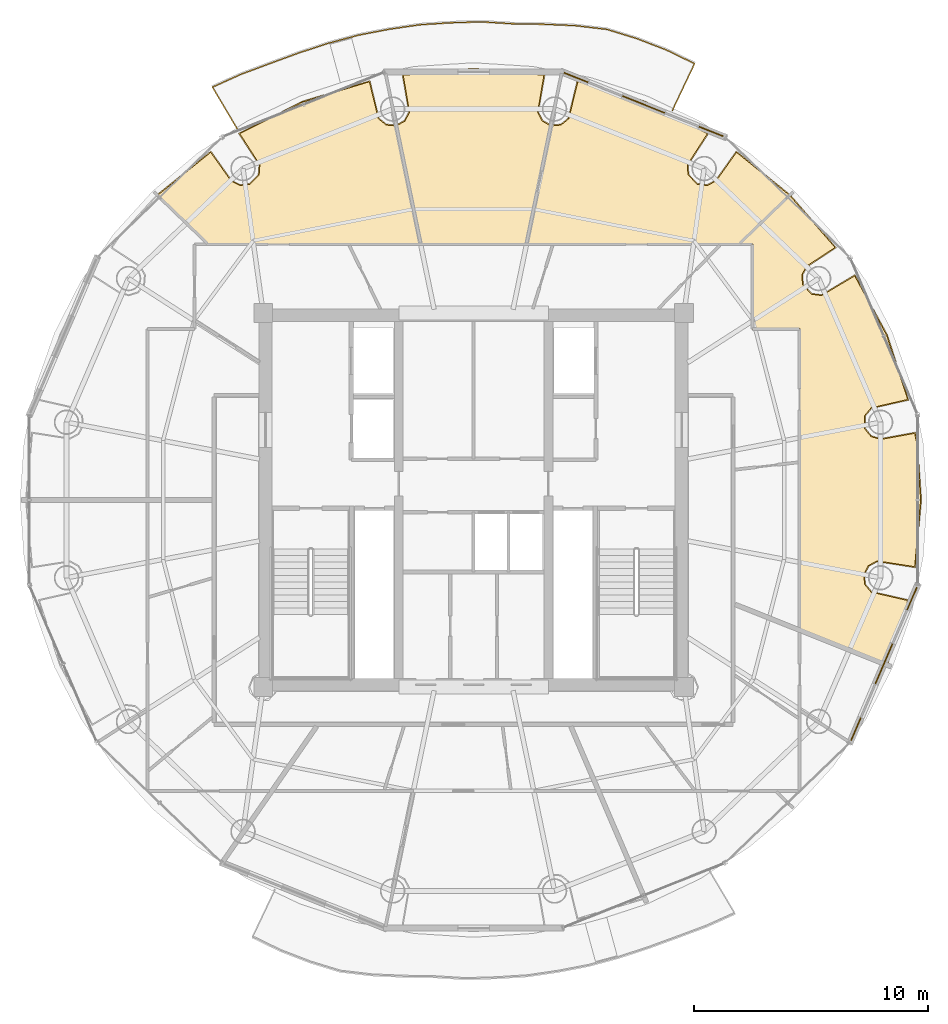
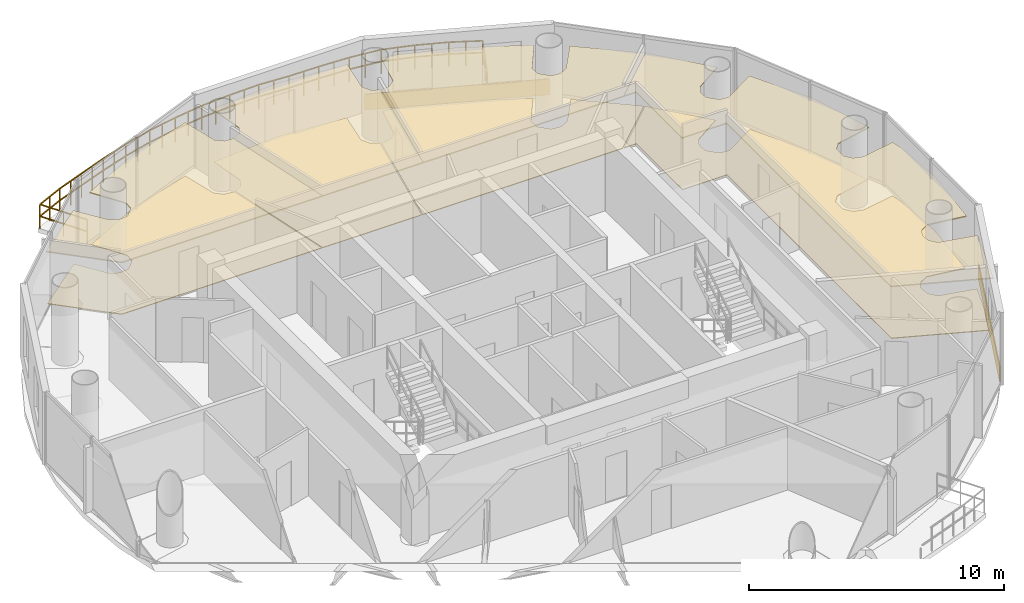
# One storey, part 24 of 24: 10 coverings, 1 railing.
"""IFC4 building model written with IfcOpenShell, lengths in metres."""

from ifc_helpers import new_model, si_unit, direction, frame, origin, origin_2d, place, context, subcontext, project, spatial, polyline, rectangle, outline, extrude, source, transform, mapped, material, layer, layer_set, type_object, element, save


model = new_model("IFC4")

# Units and contexts
model_context = context("Model", 3, precision=1e-05, world=origin(), true_north=direction((-0.2419218956, 0.970295726276)))
body_context = subcontext(model_context, "Body", "Model", "MODEL_VIEW")
ifc_project = project(units=[si_unit("LENGTHUNIT", "METRE"), si_unit("AREAUNIT", "SQUARE_METRE"), si_unit("VOLUMEUNIT", "CUBIC_METRE"), si_unit("PLANEANGLEUNIT", "RADIAN"), si_unit("MASSUNIT", "GRAM", prefix="KILO")], contexts=[model_context])

# Site, building, storey
site_placement = place(None, origin())
site = spatial("IfcSite", under=ifc_project, at=site_placement, CompositionType="ELEMENT")
building_placement = place(site_placement, origin())
building = spatial("IfcBuilding", under=site, at=building_placement, Name="Cobrevalo Terracotta Tower", CompositionType="ELEMENT")
storey_placement = place(building_placement, frame((0.0, 0.0, 270.699951171875)))
storey = spatial("IfcBuildingStorey", under=building, at=storey_placement, Name="L71", CompositionType="ELEMENT", Elevation=270.699951171875)

# Railing
ifc_material_1 = material(Name="Laminated structural glass and stainless steel", Category="steel")
railing_type = type_object("IfcRailingType", Name="Balcony lobe structural glass & terracotta-cap balustrade 1180 mm", PredefinedType="BALUSTRADE", material=ifc_material_1)
railing_placement = place(storey_placement, frame((46.504150390625, 43.46337890625, 0.0)))
element("IfcRailing", 1, at=railing_placement, inside=storey, type_object=railing_type, Name="L71 spiralling balcony lobe balustrade 1", PredefinedType="BALUSTRADE", context=body_context, shape_type="SweptSolid", body=[
    extrude(rectangle(XDim=0.048095703125, YDim=0.048095703125, at=origin_2d()), frame((0.0, 0.0, 1.15576171875), z_axis=(0.428489504485, 0.903546758362, 0.0), x_axis=(-0.903546758362, 0.428489504485, 0.0)), (0.0, 0.0, 1.0), 2.21240234375),
    extrude(rectangle(XDim=0.048095703125, YDim=0.048095703125, at=origin_2d()), frame((0.0, 0.0, 0.58984375), z_axis=(0.428489504485, 0.903546758362, 0.0), x_axis=(-0.903546758362, 0.428489504485, 0.0)), (0.0, 0.0, 1.0), 2.21240234375),
    extrude(rectangle(XDim=0.048095703125, YDim=0.048095703125, at=origin_2d()), frame((0.947998046875, 1.9990234375, 1.15576171875), z_axis=(-0.899457144441, 0.437008976239, 0.0), x_axis=(-0.437008976239, -0.899457144441, 0.0)), (0.0, 0.0, 1.0), 1.343505859375),
    extrude(rectangle(XDim=0.048095703125, YDim=0.048095703125, at=origin_2d()), frame((0.947998046875, 1.9990234375, 0.58984375), z_axis=(-0.899457144441, 0.437008976239, 0.0), x_axis=(-0.437008976239, -0.899457144441, 0.0)), (0.0, 0.0, 1.0), 1.343505859375),
    extrude(rectangle(XDim=0.048095703125, YDim=0.048095703125, at=origin_2d()), frame((-0.260498046875, 2.586181640625, 1.15576171875), z_axis=(-0.933266261338, 0.359185307952, 0.0), x_axis=(-0.359185307952, -0.933266261338, 0.0)), (0.0, 0.0, 1.0), 1.3486328125),
    extrude(rectangle(XDim=0.048095703125, YDim=0.048095703125, at=origin_2d()), frame((-0.260498046875, 2.586181640625, 0.58984375), z_axis=(-0.933266261338, 0.359185307952, 0.0), x_axis=(-0.359185307952, -0.933266261338, 0.0)), (0.0, 0.0, 1.0), 1.3486328125),
    extrude(rectangle(XDim=0.048095703125, YDim=0.048095703125, at=origin_2d()), frame((-1.51904296875, 3.070556640625, 1.15576171875), z_axis=(-0.95583764655, 0.293895208258, 0.0), x_axis=(-0.293895208258, -0.95583764655, 0.0)), (0.0, 0.0, 1.0), 1.349853515625),
    extrude(rectangle(XDim=0.048095703125, YDim=0.048095703125, at=origin_2d()), frame((-1.51904296875, 3.070556640625, 0.58984375), z_axis=(-0.95583764655, 0.293895208258, 0.0), x_axis=(-0.293895208258, -0.95583764655, 0.0)), (0.0, 0.0, 1.0), 1.349853515625),
    extrude(rectangle(XDim=0.048095703125, YDim=0.048095703125, at=origin_2d()), frame((-2.809326171875, 3.46728515625, 1.15576171875), z_axis=(-0.993183766493, 0.116559023566, 0.0), x_axis=(-0.116559023566, -0.993183766493, 0.0)), (0.0, 0.0, 1.0), 1.355224609375),
    extrude(rectangle(XDim=0.048095703125, YDim=0.048095703125, at=origin_2d()), frame((-2.809326171875, 3.46728515625, 0.58984375), z_axis=(-0.993183766493, 0.116559023566, 0.0), x_axis=(-0.116559023566, -0.993183766493, 0.0)), (0.0, 0.0, 1.0), 1.355224609375),
    extrude(rectangle(XDim=0.048095703125, YDim=0.048095703125, at=origin_2d()), frame((-4.1552734375, 3.625244140625, 1.15576171875), z_axis=(-0.999055816775, 0.04344507991, 0.0), x_axis=(-0.04344507991, -0.999055816775, 0.0)), (0.0, 0.0, 1.0), 1.3486328125),
    extrude(rectangle(XDim=0.048095703125, YDim=0.048095703125, at=origin_2d()), frame((-4.1552734375, 3.625244140625, 0.58984375), z_axis=(-0.999055816775, 0.04344507991, 0.0), x_axis=(-0.04344507991, -0.999055816775, 0.0)), (0.0, 0.0, 1.0), 1.3486328125),
    extrude(rectangle(XDim=0.048095703125, YDim=0.048095703125, at=origin_2d()), frame((-5.502685546875, 3.683837890625, 1.15576171875), z_axis=(-0.999879110149, 0.015548796993, 0.0), x_axis=(-0.015548796993, -0.999879110149, 0.0)), (0.0, 0.0, 1.0), 1.334716796875),
    extrude(rectangle(XDim=0.048095703125, YDim=0.048095703125, at=origin_2d()), frame((-5.502685546875, 3.683837890625, 0.58984375), z_axis=(-0.999879110149, 0.015548796993, 0.0), x_axis=(-0.015548796993, -0.999879110149, 0.0)), (0.0, 0.0, 1.0), 1.334716796875),
    extrude(rectangle(XDim=0.048095703125, YDim=0.048095703125, at=origin_2d()), frame((-6.837158203125, 3.70458984375, 1.15576171875), z_axis=(-0.998091008843, 0.061760327619, 0.0), x_axis=(-0.061760327619, -0.998091008843, 0.0)), (0.0, 0.0, 1.0), 1.328125),
    extrude(rectangle(XDim=0.048095703125, YDim=0.048095703125, at=origin_2d()), frame((-6.837158203125, 3.70458984375, 0.58984375), z_axis=(-0.998091008843, 0.061760327619, 0.0), x_axis=(-0.061760327619, -0.998091008843, 0.0)), (0.0, 0.0, 1.0), 1.328125),
    extrude(rectangle(XDim=0.048095703125, YDim=0.048095703125, at=origin_2d()), frame((-8.162841796875, 3.78662109375, 1.15576171875), z_axis=(-0.999566161971, -0.029453146577, 0.0), x_axis=(0.029453146577, -0.999566161971, 0.0)), (0.0, 0.0, 1.0), 1.326171875),
    extrude(rectangle(XDim=0.048095703125, YDim=0.048095703125, at=origin_2d()), frame((-8.162841796875, 3.78662109375, 0.58984375), z_axis=(-0.999566161971, -0.029453146577, 0.0), x_axis=(0.029453146577, -0.999566161971, 0.0)), (0.0, 0.0, 1.0), 1.326171875),
    extrude(rectangle(XDim=0.048095703125, YDim=0.048095703125, at=origin_2d()), frame((-9.488525390625, 3.74755859375, 1.15576171875), z_axis=(-0.997951891363, -0.063968918437, 0.0), x_axis=(0.063968918437, -0.997951891363, 0.0)), (0.0, 0.0, 1.0), 1.328125),
    extrude(rectangle(XDim=0.048095703125, YDim=0.048095703125, at=origin_2d()), frame((-9.488525390625, 3.74755859375, 0.58984375), z_axis=(-0.997951891363, -0.063968918437, 0.0), x_axis=(0.063968918437, -0.997951891363, 0.0)), (0.0, 0.0, 1.0), 1.328125),
    extrude(rectangle(XDim=0.048095703125, YDim=0.048095703125, at=origin_2d()), frame((-10.81396484375, 3.66259765625, 1.15576171875), z_axis=(-0.989351333911, -0.145547030501, 0.0), x_axis=(0.145547030501, -0.989351333911, 0.0)), (0.0, 0.0, 1.0), 1.3251953125),
    extrude(rectangle(XDim=0.048095703125, YDim=0.048095703125, at=origin_2d()), frame((-10.81396484375, 3.66259765625, 0.58984375), z_axis=(-0.989351333911, -0.145547030501, 0.0), x_axis=(0.145547030501, -0.989351333911, 0.0)), (0.0, 0.0, 1.0), 1.3251953125),
    extrude(rectangle(XDim=0.048095703125, YDim=0.048095703125, at=origin_2d()), frame((-12.125, 3.4697265625, 1.15576171875), z_axis=(-0.981984129686, -0.188963406631, 0.0), x_axis=(0.188963406631, -0.981984129686, 0.0)), (0.0, 0.0, 1.0), 1.326904296875),
    extrude(rectangle(XDim=0.048095703125, YDim=0.048095703125, at=origin_2d()), frame((-12.125, 3.4697265625, 0.58984375), z_axis=(-0.981984129686, -0.188963406631, 0.0), x_axis=(0.188963406631, -0.981984129686, 0.0)), (0.0, 0.0, 1.0), 1.326904296875),
    extrude(rectangle(XDim=0.048095703125, YDim=0.048095703125, at=origin_2d()), frame((-13.427978515625, 3.218994140625, 1.15576171875), z_axis=(-0.96557656112, -0.260119020095, 0.0), x_axis=(0.260119020095, -0.96557656112, 0.0)), (0.0, 0.0, 1.0), 1.323486328125),
    extrude(rectangle(XDim=0.048095703125, YDim=0.048095703125, at=origin_2d()), frame((-13.427978515625, 3.218994140625, 0.58984375), z_axis=(-0.96557656112, -0.260119020095, 0.0), x_axis=(0.260119020095, -0.96557656112, 0.0)), (0.0, 0.0, 1.0), 1.323486328125),
    extrude(rectangle(XDim=0.048095703125, YDim=0.048095703125, at=origin_2d()), frame((-14.705810546875, 2.874755859375, 1.15576171875), z_axis=(-0.950365422226, -0.311135925663, 0.0), x_axis=(0.311135925663, -0.950365422226, 0.0)), (0.0, 0.0, 1.0), 1.324462890625),
    extrude(rectangle(XDim=0.048095703125, YDim=0.048095703125, at=origin_2d()), frame((-14.705810546875, 2.874755859375, 0.58984375), z_axis=(-0.950365422226, -0.311135925663, 0.0), x_axis=(0.311135925663, -0.950365422226, 0.0)), (0.0, 0.0, 1.0), 1.324462890625),
    extrude(rectangle(XDim=0.048095703125, YDim=0.048095703125, at=origin_2d()), frame((-15.964599609375, 2.462646484375, 1.15576171875), z_axis=(-0.939188219159, -0.343402808656, 0.0), x_axis=(0.343402808656, -0.939188219159, 0.0)), (0.0, 0.0, 1.0), 1.322265625),
    extrude(rectangle(XDim=0.048095703125, YDim=0.048095703125, at=origin_2d()), frame((-15.964599609375, 2.462646484375, 0.58984375), z_axis=(-0.939188219159, -0.343402808656, 0.0), x_axis=(0.343402808656, -0.939188219159, 0.0)), (0.0, 0.0, 1.0), 1.322265625),
    extrude(rectangle(XDim=0.048095703125, YDim=0.048095703125, at=origin_2d()), frame((-17.20654296875, 2.008544921875, 1.15576171875), z_axis=(-0.937012739346, -0.349295185056, 0.0), x_axis=(0.349295185056, -0.937012739346, 0.0)), (0.0, 0.0, 1.0), 1.332275390625),
    extrude(rectangle(XDim=0.048095703125, YDim=0.048095703125, at=origin_2d()), frame((-17.20654296875, 2.008544921875, 0.58984375), z_axis=(-0.937012739346, -0.349295185056, 0.0), x_axis=(0.349295185056, -0.937012739346, 0.0)), (0.0, 0.0, 1.0), 1.332275390625),
    extrude(rectangle(XDim=0.048095703125, YDim=0.048095703125, at=origin_2d()), frame((-18.454833984375, 1.543212890625, 1.15576171875), z_axis=(-0.911571966461, -0.411140547699, 0.0), x_axis=(0.411140547699, -0.911571966461, 0.0)), (0.0, 0.0, 1.0), 1.334228515625),
    extrude(rectangle(XDim=0.048095703125, YDim=0.048095703125, at=origin_2d()), frame((-18.454833984375, 1.543212890625, 0.58984375), z_axis=(-0.911571966461, -0.411140547699, 0.0), x_axis=(0.411140547699, -0.911571966461, 0.0)), (0.0, 0.0, 1.0), 1.334228515625),
    extrude(rectangle(XDim=0.048095703125, YDim=0.048095703125, at=origin_2d()), frame((-19.671142578125, 0.99462890625, 1.15576171875), z_axis=(0.509498750824, -0.860471395753, 0.0), x_axis=(0.860471395753, 0.509498750824, 0.0)), (0.0, 0.0, 1.0), 2.115966796875),
    extrude(rectangle(XDim=0.048095703125, YDim=0.048095703125, at=origin_2d()), frame((-19.671142578125, 0.99462890625, 0.58984375), z_axis=(0.509498750824, -0.860471395753, 0.0), x_axis=(0.860471395753, 0.509498750824, 0.0)), (0.0, 0.0, 1.0), 2.115966796875),
    extrude(rectangle(XDim=0.0419921875, YDim=0.0419921875, at=origin_2d()), origin(), (0.0, 0.0, 1.0), 1.1318359375),
    extrude(rectangle(XDim=0.0419921875, YDim=0.0419921875, at=origin_2d()), frame((0.47412109375, 0.99951171875, 0.0)), (0.0, 0.0, 1.0), 1.1318359375),
    extrude(rectangle(XDim=0.0419921875, YDim=0.0419921875, at=origin_2d()), frame((0.947998046875, 1.9990234375, 0.0)), (0.0, 0.0, 1.0), 1.1318359375),
    extrude(rectangle(XDim=0.0419921875, YDim=0.0419921875, at=origin_2d()), frame((0.34375, 2.29248046875, 0.0)), (0.0, 0.0, 1.0), 1.1318359375),
    extrude(rectangle(XDim=0.0419921875, YDim=0.0419921875, at=origin_2d()), frame((-0.260498046875, 2.586181640625, 0.0)), (0.0, 0.0, 1.0), 1.1318359375),
    extrude(rectangle(XDim=0.0419921875, YDim=0.0419921875, at=origin_2d()), frame((-0.8896484375, 2.828369140625, 0.0)), (0.0, 0.0, 1.0), 1.1318359375),
    extrude(rectangle(XDim=0.0419921875, YDim=0.0419921875, at=origin_2d()), frame((-1.51904296875, 3.070556640625, 0.0)), (0.0, 0.0, 1.0), 1.1318359375),
    extrude(rectangle(XDim=0.0419921875, YDim=0.0419921875, at=origin_2d()), frame((-2.1640625, 3.26904296875, 0.0)), (0.0, 0.0, 1.0), 1.1318359375),
    extrude(rectangle(XDim=0.0419921875, YDim=0.0419921875, at=origin_2d()), frame((-2.809326171875, 3.46728515625, 0.0)), (0.0, 0.0, 1.0), 1.1318359375),
    extrude(rectangle(XDim=0.0419921875, YDim=0.0419921875, at=origin_2d()), frame((-3.482421875, 3.54638671875, 0.0)), (0.0, 0.0, 1.0), 1.1318359375),
    extrude(rectangle(XDim=0.0419921875, YDim=0.0419921875, at=origin_2d()), frame((-4.1552734375, 3.625244140625, 0.0)), (0.0, 0.0, 1.0), 1.1318359375),
    extrude(rectangle(XDim=0.0419921875, YDim=0.0419921875, at=origin_2d()), frame((-4.8291015625, 3.654541015625, 0.0)), (0.0, 0.0, 1.0), 1.1318359375),
    extrude(rectangle(XDim=0.0419921875, YDim=0.0419921875, at=origin_2d()), frame((-5.502685546875, 3.683837890625, 0.0)), (0.0, 0.0, 1.0), 1.1318359375),
    extrude(rectangle(XDim=0.0419921875, YDim=0.0419921875, at=origin_2d()), frame((-6.169921875, 3.6943359375, 0.0)), (0.0, 0.0, 1.0), 1.1318359375),
    extrude(rectangle(XDim=0.0419921875, YDim=0.0419921875, at=origin_2d()), frame((-6.837158203125, 3.70458984375, 0.0)), (0.0, 0.0, 1.0), 1.1318359375),
    extrude(rectangle(XDim=0.0419921875, YDim=0.0419921875, at=origin_2d()), frame((-7.5, 3.74560546875, 0.0)), (0.0, 0.0, 1.0), 1.1318359375),
    extrude(rectangle(XDim=0.0419921875, YDim=0.0419921875, at=origin_2d()), frame((-8.162841796875, 3.78662109375, 0.0)), (0.0, 0.0, 1.0), 1.1318359375),
    extrude(rectangle(XDim=0.0419921875, YDim=0.0419921875, at=origin_2d()), frame((-8.82568359375, 3.76708984375, 0.0)), (0.0, 0.0, 1.0), 1.1318359375),
    extrude(rectangle(XDim=0.0419921875, YDim=0.0419921875, at=origin_2d()), frame((-9.488525390625, 3.74755859375, 0.0)), (0.0, 0.0, 1.0), 1.1318359375),
    extrude(rectangle(XDim=0.0419921875, YDim=0.0419921875, at=origin_2d()), frame((-10.1513671875, 3.705078125, 0.0)), (0.0, 0.0, 1.0), 1.1318359375),
    extrude(rectangle(XDim=0.0419921875, YDim=0.0419921875, at=origin_2d()), frame((-10.81396484375, 3.66259765625, 0.0)), (0.0, 0.0, 1.0), 1.1318359375),
    extrude(rectangle(XDim=0.0419921875, YDim=0.0419921875, at=origin_2d()), frame((-11.469482421875, 3.566162109375, 0.0)), (0.0, 0.0, 1.0), 1.1318359375),
    extrude(rectangle(XDim=0.0419921875, YDim=0.0419921875, at=origin_2d()), frame((-12.125, 3.4697265625, 0.0)), (0.0, 0.0, 1.0), 1.1318359375),
    extrude(rectangle(XDim=0.0419921875, YDim=0.0419921875, at=origin_2d()), frame((-12.7763671875, 3.34423828125, 0.0)), (0.0, 0.0, 1.0), 1.1318359375),
    extrude(rectangle(XDim=0.0419921875, YDim=0.0419921875, at=origin_2d()), frame((-13.427978515625, 3.218994140625, 0.0)), (0.0, 0.0, 1.0), 1.1318359375),
    extrude(rectangle(XDim=0.0419921875, YDim=0.0419921875, at=origin_2d()), frame((-14.06689453125, 3.046875, 0.0)), (0.0, 0.0, 1.0), 1.1318359375),
    extrude(rectangle(XDim=0.0419921875, YDim=0.0419921875, at=origin_2d()), frame((-14.705810546875, 2.874755859375, 0.0)), (0.0, 0.0, 1.0), 1.1318359375),
    extrude(rectangle(XDim=0.0419921875, YDim=0.0419921875, at=origin_2d()), frame((-15.335205078125, 2.668701171875, 0.0)), (0.0, 0.0, 1.0), 1.1318359375),
    extrude(rectangle(XDim=0.0419921875, YDim=0.0419921875, at=origin_2d()), frame((-15.964599609375, 2.462646484375, 0.0)), (0.0, 0.0, 1.0), 1.1318359375),
    extrude(rectangle(XDim=0.0419921875, YDim=0.0419921875, at=origin_2d()), frame((-16.58544921875, 2.235595703125, 0.0)), (0.0, 0.0, 1.0), 1.1318359375),
    extrude(rectangle(XDim=0.0419921875, YDim=0.0419921875, at=origin_2d()), frame((-17.20654296875, 2.008544921875, 0.0)), (0.0, 0.0, 1.0), 1.1318359375),
    extrude(rectangle(XDim=0.0419921875, YDim=0.0419921875, at=origin_2d()), frame((-17.83056640625, 1.77587890625, 0.0)), (0.0, 0.0, 1.0), 1.1318359375),
    extrude(rectangle(XDim=0.0419921875, YDim=0.0419921875, at=origin_2d()), frame((-18.454833984375, 1.543212890625, 0.0)), (0.0, 0.0, 1.0), 1.1318359375),
    extrude(rectangle(XDim=0.0419921875, YDim=0.0419921875, at=origin_2d()), frame((-19.06298828125, 1.26904296875, 0.0)), (0.0, 0.0, 1.0), 1.1318359375),
    extrude(rectangle(XDim=0.0419921875, YDim=0.0419921875, at=origin_2d()), frame((-19.671142578125, 0.99462890625, 0.0)), (0.0, 0.0, 1.0), 1.1318359375),
    extrude(rectangle(XDim=0.0419921875, YDim=0.0419921875, at=origin_2d()), frame((-19.132080078125, 0.084228515625, 0.0)), (0.0, 0.0, 1.0), 1.1318359375),
    extrude(rectangle(XDim=0.0419921875, YDim=0.0419921875, at=origin_2d()), frame((-18.593017578125, -0.826171875, 0.0)), (0.0, 0.0, 1.0), 1.1318359375),
])

# Coverings
ifc_material_2 = material(Name="Engineered Brazilian hardwood flooring", Category="wood")
ifc_layer_1 = layer(ifc_material_2, 0.028076171875)
ifc_layer_set_1 = layer_set([ifc_layer_1], Name="Engineered Brazilian hardwood flooring")
covering_type_1 = type_object("IfcCoveringType", Name="Engineered Hardwood Suite Flooring 28", PredefinedType="FLOORING", material=ifc_layer_set_1)
covering_1_placement = place(storey_placement, origin())
element("IfcCovering", 2, at=covering_1_placement, inside=storey, type_object=covering_type_1, Name="Flat L71A Living and Dining Room floor finish", PredefinedType="FLOORING", context=body_context, shape_type="SweptSolid", body=[
    extrude(outline(polyline([(51.52978515625, 39.81396484375), (53.4560546875, 37.599365234375), (52.2451171875, 36.805419921875), (52.035400390625, 36.43017578125), (52.06982421875, 36.001953125), (52.462890625, 35.593994140625), (52.8896484375, 35.5439453125), (54.300048828125, 36.382568359375), (55.66455078125, 33.848876953125), (56.56494140625, 31.1005859375), (55.00244140625, 30.74462890625), (54.727294921875, 30.41455078125), (54.72314453125, 29.84814453125), (54.9931640625, 29.51416015625), (55.4033203125, 29.38623046875), (56.8642578125, 29.65087890625), (56.956298828125, 29.2041015625), (57.119873046875, 26.800048828125), (56.8642578125, 23.948974609375), (55.259033203125, 24.198486328125), (54.881591796875, 23.9931640625), (54.681884765625, 23.612548828125), (54.727294921875, 23.185302734375), (55.00244140625, 22.855224609375), (56.56494140625, 22.49951171875), (55.669921875, 19.766357421875), (51.965087890625, 21.245849609375), (51.965087890625, 34.139892578125), (49.955078125, 34.139892578125), (49.955078125, 37.7548828125), (49.393798828125, 37.7548828125), (51.52978515625, 39.81396484375)])), origin(), (0.0, 0.0, 1.0), 0.030029296875),
])
covering_2_placement = place(storey_placement, origin())
element("IfcCovering", 3, at=covering_2_placement, inside=storey, type_object=covering_type_1, Name="Flat L71A Master Bedroom floor finish", PredefinedType="FLOORING", context=body_context, shape_type="SweptSolid", body=[
    extrude(outline(polyline([(41.321533203125, 42.796630859375), (41.74072265625, 42.83642578125), (42.074951171875, 43.1064453125), (42.45947265625, 44.68603515625), (42.94873046875, 44.59228515625), (45.317138671875, 43.817626953125), (47.99853515625, 42.4697265625), (47.138427734375, 41.134521484375), (47.17236328125, 40.706298828125), (47.5654296875, 40.29833984375), (47.9921875, 40.248046875), (48.374755859375, 40.443603515625), (49.243896484375, 41.668212890625), (51.50048828125, 39.841064453125), (49.336181640625, 37.7548828125), (40.281005859375, 37.7548828125), (41.321533203125, 42.796630859375)])), origin(), (0.0, 0.0, 1.0), 0.030029296875),
])
covering_3_placement = place(storey_placement, origin())
element("IfcCovering", 4, at=covering_3_placement, inside=storey, type_object=covering_type_1, Name="Flat L71A Principal Guest Bedroom floor finish", PredefinedType="FLOORING", context=body_context, shape_type="SweptSolid", body=[
    extrude(outline(polyline([(34.71728515625, 42.80712890625), (35.064453125, 43.003173828125), (35.26416015625, 43.3837890625), (34.994140625, 44.964599609375), (38.0, 45.219970703125), (41.005859375, 44.964599609375), (40.73583984375, 43.3837890625), (40.935546875, 43.003173828125), (41.28271484375, 42.80712890625), (40.240234375, 37.7548828125), (35.759765625, 37.7548828125), (34.71728515625, 42.80712890625)])), origin(), (0.0, 0.0, 1.0), 0.030029296875),
])
covering_4_placement = place(storey_placement, origin())
element("IfcCovering", 5, at=covering_4_placement, inside=storey, type_object=covering_type_1, Name="Flat L71A Penthouse Family Lounge floor finish", PredefinedType="FLOORING", context=body_context, shape_type="SweptSolid", body=[
    extrude(outline(polyline([(24.49951171875, 39.841064453125), (26.756103515625, 41.668212890625), (27.625244140625, 40.443603515625), (28.0078125, 40.248046875), (28.4345703125, 40.29833984375), (28.82763671875, 40.706298828125), (28.861572265625, 41.134521484375), (28.00146484375, 42.4697265625), (30.682861328125, 43.817626953125), (33.54052734375, 44.68603515625), (33.925048828125, 43.1064453125), (34.25927734375, 42.83642578125), (34.678466796875, 42.796630859375), (35.718994140625, 37.7548828125), (26.663818359375, 37.7548828125), (24.49951171875, 39.841064453125)])), origin(), (0.0, 0.0, 1.0), 0.030029296875),
])
ifc_material_3 = material(Name="Acoustic perforated gypsum ceiling", Category="gypsum")
ifc_layer_2 = layer(ifc_material_3, 0.050048828125)
ifc_layer_set_2 = layer_set([ifc_layer_2], Name="Acoustic perforated gypsum ceiling")
covering_type_2 = type_object("IfcCoveringType", Name="Perforated Acoustic Gypsum Ceiling 50", PredefinedType="CEILING", material=ifc_layer_set_2)
covering_5_placement = place(storey_placement, frame((0.0, 0.0, 2.5)))
element("IfcCovering", 6, at=covering_5_placement, inside=storey, type_object=covering_type_2, Name="Flat L71A Living and Dining Room acoustic ceiling", PredefinedType="CEILING", context=body_context, shape_type="SweptSolid", body=[
    extrude(outline(polyline([(51.531982421875, 39.87841796875), (53.51953125, 37.586669921875), (52.2763671875, 36.772705078125), (52.07958984375, 36.420654296875), (52.11181640625, 36.0185546875), (52.48095703125, 35.635498046875), (52.881591796875, 35.588623046875), (54.312255859375, 36.44384765625), (55.7060546875, 33.86669921875), (56.6181640625, 31.06494140625), (55.02734375, 30.70703125), (54.76904296875, 30.39697265625), (54.764892578125, 29.865234375), (55.0185546875, 29.551513671875), (55.40380859375, 29.431396484375), (56.899169921875, 29.703369140625), (57.0009765625, 29.210205078125), (57.1650390625, 26.800048828125), (56.899169921875, 23.896484375), (55.268310546875, 24.154296875), (54.913818359375, 23.96142578125), (54.726318359375, 23.60400390625), (54.76904296875, 23.202880859375), (55.02734375, 22.89306640625), (56.6181640625, 22.53515625), (55.69677734375, 19.707275390625), (51.919921875, 21.21533203125), (51.919921875, 34.094970703125), (49.909912109375, 34.094970703125), (49.909912109375, 37.7099609375), (49.282470703125, 37.7099609375), (51.531982421875, 39.87841796875)])), origin(), (0.0, 0.0, 1.0), 0.050048828125),
])
covering_6_placement = place(storey_placement, frame((0.0, 0.0, 2.5)))
element("IfcCovering", 7, at=covering_6_placement, inside=storey, type_object=covering_type_2, Name="Flat L71A Master Bedroom acoustic ceiling", PredefinedType="CEILING", context=body_context, shape_type="SweptSolid", body=[
    extrude(outline(polyline([(41.28564453125, 42.845703125), (41.7236328125, 42.87841796875), (42.03759765625, 43.1318359375), (42.424560546875, 44.738525390625), (42.9599609375, 44.635986328125), (45.333740234375, 43.859619140625), (48.062255859375, 42.482421875), (47.1826171875, 41.124755859375), (47.214599609375, 40.72265625), (47.58349609375, 40.339599609375), (47.984130859375, 40.292724609375), (48.343505859375, 40.47607421875), (49.231689453125, 41.7294921875), (51.567626953125, 39.84326171875), (49.3544921875, 37.7099609375), (40.225830078125, 37.7099609375), (41.28564453125, 42.845703125)])), origin(), (0.0, 0.0, 1.0), 0.050048828125),
])
covering_7_placement = place(storey_placement, frame((0.0, 0.0, 2.5)))
element("IfcCovering", 8, at=covering_7_placement, inside=storey, type_object=covering_type_2, Name="Flat L71A Principal Guest Bedroom acoustic ceiling", PredefinedType="CEILING", context=body_context, shape_type="SweptSolid", body=[
    extrude(outline(polyline([(34.6650390625, 42.837890625), (35.0322265625, 43.034912109375), (35.2197265625, 43.39208984375), (34.94091796875, 45.000244140625), (38.0, 45.26513671875), (41.05908203125, 45.000244140625), (40.7802734375, 43.39208984375), (40.9677734375, 43.034912109375), (41.3349609375, 42.837890625), (40.27685546875, 37.7099609375), (35.72314453125, 37.7099609375), (34.6650390625, 42.837890625)])), origin(), (0.0, 0.0, 1.0), 0.050048828125),
])
covering_8_placement = place(storey_placement, frame((0.0, 0.0, 2.5)))
element("IfcCovering", 9, at=covering_8_placement, inside=storey, type_object=covering_type_2, Name="Flat L71A Penthouse Family Lounge acoustic ceiling", PredefinedType="CEILING", context=body_context, shape_type="SweptSolid", body=[
    extrude(outline(polyline([(24.432373046875, 39.84326171875), (26.768310546875, 41.7294921875), (27.656494140625, 40.47607421875), (28.015869140625, 40.292724609375), (28.41650390625, 40.339599609375), (28.785400390625, 40.72265625), (28.8173828125, 41.124755859375), (27.937744140625, 42.482421875), (30.666259765625, 43.859619140625), (33.575439453125, 44.738525390625), (33.96240234375, 43.1318359375), (34.2763671875, 42.87841796875), (34.71435546875, 42.845703125), (35.774169921875, 37.7099609375), (26.6455078125, 37.7099609375), (24.432373046875, 39.84326171875)])), origin(), (0.0, 0.0, 1.0), 0.050048828125),
])
ifc_material_4 = material(Name="Glazed terracotta facade cladding tile", Category="masonry")
ifc_layer_3 = layer(ifc_material_4, 0.044921875)
ifc_layer_set_3 = layer_set([ifc_layer_3], Name="Glazed terracotta facade cladding tile")
covering_type_3 = type_object("IfcCoveringType", Name="Architectural terracotta rainscreen spandrel cladding 45 mm", PredefinedType="CLADDING", material=ifc_layer_set_3)
shared_shape_1 = source(origin(), body_context, "Body", "SweptSolid", [
    extrude(rectangle(XDim=7.125244140625, YDim=0.044921875, at=origin_2d()), origin(), (0.0, 0.0, 1.0), 0.760009765625),
])
covering_9_placement = place(storey_placement, frame((55.5517578125, 19.79248046875, 0.0400390625), z_axis=(0.0, 0.0, 1.0), x_axis=(0.394828845134, 0.918754691444, 0.0)))
element("IfcCovering", 10, at=covering_9_placement, inside=storey, type_object=covering_type_3, Name="L71 terracotta spandrel cladding S15", PredefinedType="CLADDING", context=body_context, shape_type="MappedRepresentation", body=[
    mapped(shared_shape_1, transform((0.0, 0.0, 0.0), scale=1.0)),
])
shared_shape_2 = source(origin(), body_context, "Body", "SweptSolid", [
    extrude(rectangle(XDim=7.318359375, YDim=0.044921875, at=origin_2d()), origin(), (0.0, 0.0, 1.0), 0.760009765625),
])
covering_10_placement = place(storey_placement, frame((45.270263671875, 43.71728515625, 0.0400390625), z_axis=(0.0, 0.0, 1.0), x_axis=(-0.92871833374, 0.370785998353, 0.0)))
element("IfcCovering", 11, at=covering_10_placement, inside=storey, type_object=covering_type_3, Name="L71 terracotta spandrel cladding S03", PredefinedType="CLADDING", context=body_context, shape_type="MappedRepresentation", body=[
    mapped(shared_shape_2, transform((0.0, 0.0, 0.0), scale=1.0)),
])

save(model, "model.ifc")
